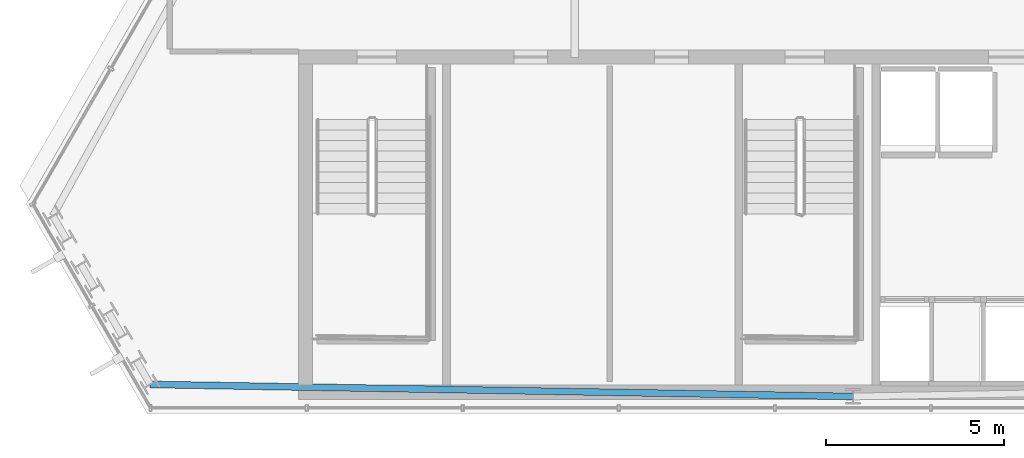
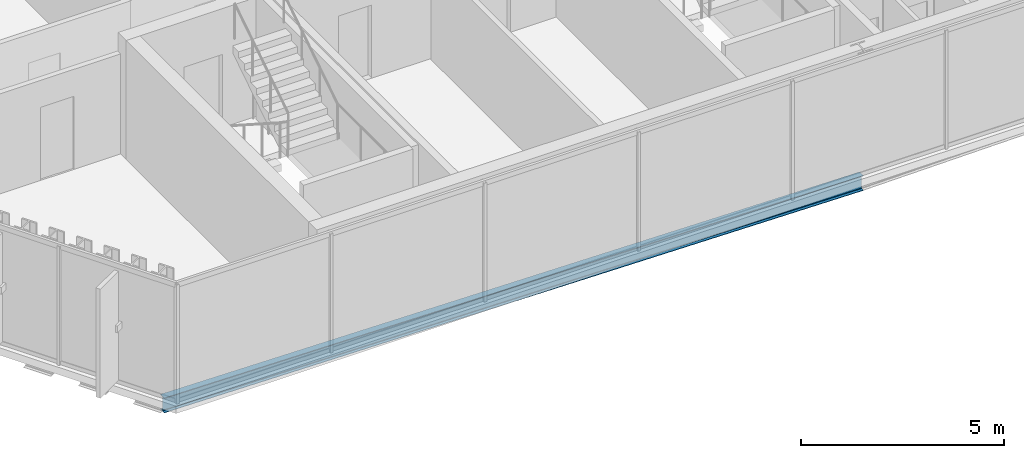
# One storey, part 3 of 29: 1 beam.
"""IFC4 building model written with IfcOpenShell, lengths in metres."""

from ifc_helpers import new_model, si_unit, direction, frame, origin, origin_2d, place, context, subcontext, project, spatial, i_section, extrude, material, material_profile, profile_set, type_object, element, save


model = new_model("IFC4")

# Units and contexts
model_context = context("Model", 3, precision=1e-05, world=origin(), true_north=direction((0.0, 1.0)))
body_context = subcontext(model_context, "Body", "Model", "MODEL_VIEW")
ifc_project = project(units=[si_unit("LENGTHUNIT", "METRE"), si_unit("AREAUNIT", "SQUARE_METRE"), si_unit("VOLUMEUNIT", "CUBIC_METRE"), si_unit("PLANEANGLEUNIT", "RADIAN"), si_unit("MASSUNIT", "GRAM", prefix="KILO")], contexts=[model_context])

# Site, building, storey
site_placement = place(None, origin())
site = spatial("IfcSite", under=ifc_project, at=site_placement, CompositionType="ELEMENT")
building_placement = place(site_placement, origin())
building = spatial("IfcBuilding", under=site, at=building_placement, Name="Ndaravel Arena Tower", CompositionType="ELEMENT")
storey_placement = place(building_placement, frame((0.0, 0.0, 240.800048828125)))
storey = spatial("IfcBuildingStorey", under=building, at=storey_placement, Name="L58", CompositionType="ELEMENT", Elevation=240.800048828125)

# Beam
ifc_material = material(Name="Steel S355", Category="steel")
ifc_material_profile = material_profile(ifc_material, i_section(OverallWidth=0.18994140625, OverallDepth=0.449951171875, WebThickness=0.009521484375, FlangeThickness=0.0146484375, FilletRadius=0.02099609375, at=origin_2d()), Name="IPE 450")
ifc_profile_set = profile_set([ifc_material_profile], Name="Steel S355")
beam_type = type_object("IfcBeamType", Name="BM-SPAN-IPE450", PredefinedType="SPANDREL", material=ifc_profile_set)
beam_placement = place(storey_placement, frame((22.2978515625, 5.817626953125, -0.445068359375), z_axis=(0.999853184589, -0.017135030412, 0.0), x_axis=(0.017135030412, 0.999853184589, 0.0)))
element("IfcBeam", 1, at=beam_placement, inside=storey, type_object=beam_type, Name="L58 Perimeter Spandrel Beam SP-27", PredefinedType="SPANDREL", context=body_context, shape_type="SweptSolid", body=[
    extrude(i_section(OverallWidth=0.18994140625, OverallDepth=0.449951171875, WebThickness=0.009521484375, FlangeThickness=0.0146484375, FilletRadius=0.02099609375, at=origin_2d()), origin(), (0.0, 0.0, 1.0), 19.705078125),
])

save(model, "model.ifc")
